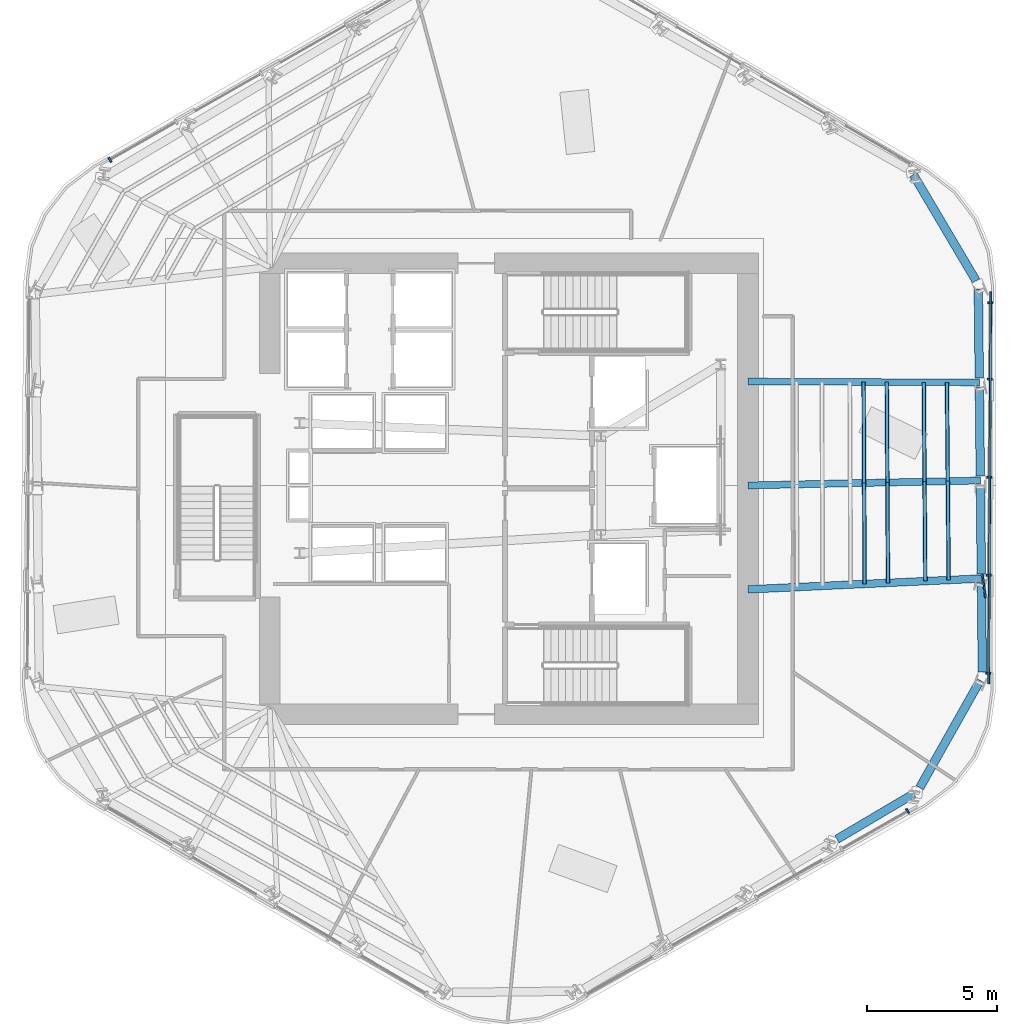
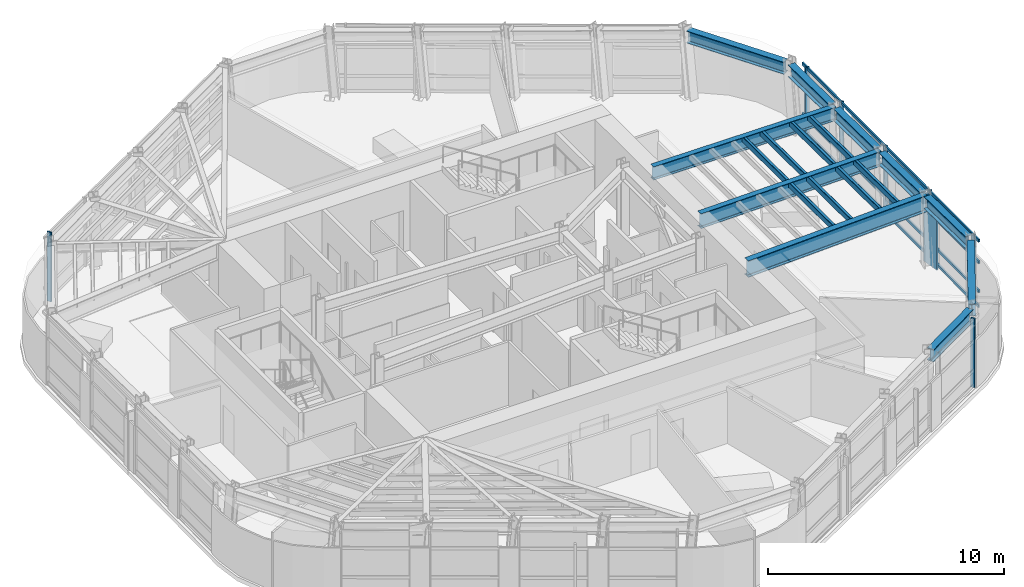
# One storey, part 5 of 16: 20 members, 10 beams, 3 elements without a shape of their own.
"""IFC4 building model written with IfcOpenShell, lengths in metres."""

from ifc_helpers import new_model, si_unit, direction, frame, origin, origin_2d, place, context, subcontext, project, spatial, rectangle, hollow_rectangle, i_section, extrude, material, layer, layer_set, material_profile, profile_set, type_object, element, aggregate, save


model = new_model("IFC4")

# Units and contexts
model_context = context("Model", 3, precision=1e-05, world=origin(), true_north=direction((0.0, 1.0)))
body_context = subcontext(model_context, "Body", "Model", "MODEL_VIEW")
ifc_project = project(units=[si_unit("LENGTHUNIT", "METRE"), si_unit("AREAUNIT", "SQUARE_METRE"), si_unit("VOLUMEUNIT", "CUBIC_METRE"), si_unit("PLANEANGLEUNIT", "RADIAN"), si_unit("MASSUNIT", "GRAM", prefix="KILO")], contexts=[model_context])

# Site, building, storey
site_placement = place(None, origin())
site = spatial("IfcSite", under=ifc_project, at=site_placement, CompositionType="ELEMENT")
building_placement = place(site_placement, origin())
building = spatial("IfcBuilding", under=site, at=building_placement, Name="Valkerne Bourse Tower", CompositionType="ELEMENT")
storey_placement = place(building_placement, frame((0.0, 0.0, 151.39990234375)))
storey = spatial("IfcBuildingStorey", under=building, at=storey_placement, Name="L38", CompositionType="ELEMENT", Elevation=151.39990234375)

# Beams
ifc_material_1 = material(Name="Steel ASTM A992", Category="steel")
ifc_material_profile_1 = material_profile(ifc_material_1, i_section(OverallWidth=0.32763671875, OverallDepth=0.62744140625, WebThickness=0.0166015625, FlangeThickness=0.027587890625, FilletRadius=0.020263671875, at=origin_2d()), Name="W24X146")
ifc_profile_set_1 = profile_set([ifc_material_profile_1], Name="Steel ASTM A992")
beam_type_1 = type_object("IfcBeamType", Name="BM-W24X146", PredefinedType="SPANDREL", material=ifc_profile_set_1)
beam_1_placement = place(storey_placement, frame((59.427734375, 13.389404296875, 3.266357421875), z_axis=(0.860746574239, 0.509033726718, 0.0), x_axis=(-0.509033726718, 0.860746574239, 0.0)))
element("IfcBeam", 1, at=beam_1_placement, inside=storey, type_object=beam_type_1, Name="L38 Hexagonal Spandrel Ring Beam 23", PredefinedType="SPANDREL", context=body_context, shape_type="SweptSolid", body=[
    extrude(i_section(OverallWidth=0.32763671875, OverallDepth=0.62744140625, WebThickness=0.0166015625, FlangeThickness=0.027587890625, FilletRadius=0.020263671875, at=origin_2d()), origin(), (0.0, 0.0, 1.0), 3.43115234375),
])
beam_2_placement = place(storey_placement, frame((62.61083984375, 15.37060546875, 3.266357421875), z_axis=(0.490899349002, 0.871216292977, 0.0), x_axis=(-0.871216292977, 0.490899349002, 0.0)))
element("IfcBeam", 2, at=beam_2_placement, inside=storey, type_object=beam_type_1, Name="L38 Hexagonal Spandrel Ring Beam 24", PredefinedType="SPANDREL", context=body_context, shape_type="SweptSolid", body=[
    extrude(i_section(OverallWidth=0.32763671875, OverallDepth=0.62744140625, WebThickness=0.0166015625, FlangeThickness=0.027587890625, FilletRadius=0.020263671875, at=origin_2d()), origin(), (0.0, 0.0, 1.0), 4.739990234375),
])
for number, where, z_axis, x_axis, name in (
    (3, (65.019287109375, 19.818359375, 3.266357421875), (-0.010459827673, 0.999945294506, 0.0), (-0.999945294506, -0.010459827673, 0.0), "L38 Hexagonal Spandrel Ring Beam 25"),
    (4, (64.97998046875, 23.589111328125, 3.266357421875), (-0.010459827673, 0.999945294506, 0.0), (-0.999945294506, -0.010459827673, 0.0), "L38 Hexagonal Spandrel Ring Beam 26"),
):
    element("IfcBeam", number, at=place(storey_placement, frame(where, z_axis=z_axis, x_axis=x_axis)), inside=storey, type_object=beam_type_1, Name=name, PredefinedType="SPANDREL", context=body_context, shape_type="SweptSolid", body=[
        extrude(i_section(OverallWidth=0.32763671875, OverallDepth=0.62744140625, WebThickness=0.0166015625, FlangeThickness=0.027587890625, FilletRadius=0.020263671875, at=origin_2d()), origin(), (0.0, 0.0, 1.0), 3.43115234375),
    ])
for number, where, z_axis, x_axis, name in (
    (5, (64.9404296875, 27.360107421875, 3.266357421875), (-0.010460571958, 0.99994528672, 0.0), (-0.99994528672, -0.010460571958, 0.0), "L38 Hexagonal Spandrel Ring Beam 27"),
    (6, (64.90087890625, 31.130859375, 3.266357421875), (-0.010460571958, 0.99994528672, 0.0), (-0.99994528672, -0.010460571958, 0.0), "L38 Hexagonal Spandrel Ring Beam 28"),
):
    element("IfcBeam", number, at=place(storey_placement, frame(where, z_axis=z_axis, x_axis=x_axis)), inside=storey, type_object=beam_type_1, Name=name, PredefinedType="SPANDREL", context=body_context, shape_type="SweptSolid", body=[
        extrude(i_section(OverallWidth=0.32763671875, OverallDepth=0.62744140625, WebThickness=0.0166015625, FlangeThickness=0.027587890625, FilletRadius=0.020263671875, at=origin_2d()), origin(), (0.0, 0.0, 1.0), 3.430908203125),
    ])
beam_3_placement = place(storey_placement, frame((64.77685546875, 34.8779296875, 3.266357421875), z_axis=(-0.509062431109, 0.860729598209, 0.0), x_axis=(-0.860729598209, -0.509062431109, 0.0)))
element("IfcBeam", 7, at=beam_3_placement, inside=storey, type_object=beam_type_1, Name="L38 Hexagonal Spandrel Ring Beam 29", PredefinedType="SPANDREL", context=body_context, shape_type="SweptSolid", body=[
    extrude(i_section(OverallWidth=0.32763671875, OverallDepth=0.62744140625, WebThickness=0.0166015625, FlangeThickness=0.027587890625, FilletRadius=0.020263671875, at=origin_2d()), origin(), (0.0, 0.0, 1.0), 4.740234375),
])
ifc_material_profile_2 = material_profile(ifc_material_1, i_section(OverallWidth=0.255859375, OverallDepth=0.693359375, WebThickness=0.014404296875, FlangeThickness=0.023681640625, FilletRadius=0.02294921875, at=origin_2d()), Name="W27X114")
ifc_profile_set_2 = profile_set([ifc_material_profile_2], Name="Steel ASTM A992")
beam_type_2 = type_object("IfcBeamType", Name="BM-W27X114", PredefinedType="BEAM", material=ifc_profile_set_2)
beam_4_placement = place(storey_placement, frame((64.902587890625, 30.960693359375, 3.2333984375), z_axis=(-0.999990253179, 0.004415149616, 0.0), x_axis=(-0.004415149616, -0.999990253179, 0.0)))
element("IfcBeam", 8, at=beam_4_placement, inside=storey, type_object=beam_type_2, Name="L38 Radial Composite Floor Beam 28", PredefinedType="BEAM", context=body_context, shape_type="SweptSolid", body=[
    extrude(i_section(OverallWidth=0.255859375, OverallDepth=0.693359375, WebThickness=0.014404296875, FlangeThickness=0.023681640625, FilletRadius=0.02294921875, at=origin_2d()), origin(), (0.0, 0.0, 1.0), 8.902587890625),
])
ifc_material_profile_3 = material_profile(ifc_material_1, i_section(OverallWidth=0.26806640625, OverallDepth=0.76953125, WebThickness=0.015625, FlangeThickness=0.025390625, FilletRadius=0.025390625, at=origin_2d()), Name="W30X132")
ifc_profile_set_3 = profile_set([ifc_material_profile_3], Name="Steel ASTM A992")
beam_type_3 = type_object("IfcBeamType", Name="BM-W30X132", PredefinedType="BEAM", material=ifc_profile_set_3)
beam_5_placement = place(storey_placement, frame((64.942138671875, 27.18994140625, 3.1953125), z_axis=(-0.999774482852, -0.021236370646, 0.0), x_axis=(0.021236370646, -0.999774482852, 0.0)))
element("IfcBeam", 9, at=beam_5_placement, inside=storey, type_object=beam_type_3, Name="L38 Radial Composite Floor Beam 27", PredefinedType="BEAM", context=body_context, shape_type="SweptSolid", body=[
    extrude(i_section(OverallWidth=0.26806640625, OverallDepth=0.76953125, WebThickness=0.015625, FlangeThickness=0.025390625, FilletRadius=0.025390625, at=origin_2d()), origin(), (0.0, 0.0, 1.0), 8.944091796875),
])
ifc_material_profile_4 = material_profile(ifc_material_1, i_section(OverallWidth=0.2919921875, OverallDepth=0.8583984375, WebThickness=0.01708984375, FlangeThickness=0.031005859375, FilletRadius=0.025390625, at=origin_2d()), Name="W33X169")
ifc_profile_set_4 = profile_set([ifc_material_profile_4], Name="Steel ASTM A992")
beam_type_4 = type_object("IfcBeamType", Name="BM-W33X169", PredefinedType="BEAM", material=ifc_profile_set_4)
beam_6_placement = place(storey_placement, frame((64.981689453125, 23.419189453125, 3.15087890625), z_axis=(-0.998912658811, -0.046620811525, 0.0), x_axis=(0.046620811525, -0.998912658811, 0.0)))
element("IfcBeam", 10, at=beam_6_placement, inside=storey, type_object=beam_type_4, Name="L38 Radial Composite Floor Beam 26", PredefinedType="BEAM", context=body_context, shape_type="SweptSolid", body=[
    extrude(i_section(OverallWidth=0.2919921875, OverallDepth=0.8583984375, WebThickness=0.01708984375, FlangeThickness=0.031005859375, FilletRadius=0.025390625, at=origin_2d()), origin(), (0.0, 0.0, 1.0), 8.991455078125),
])

# Curtain wall, member
ifc_material_2 = material(Name="Aluminium AA 6063-T6", Category="aluminium")
ifc_layer = layer(ifc_material_2, 0.235107421875)
ifc_layer_set = layer_set([ifc_layer], Name="Aluminium AA 6063-T6")
curtain_wall_type = type_object("IfcCurtainWallType", Name="CW-03", PredefinedType="NOTDEFINED", material=ifc_layer_set)
curtain_wall_1_placement = place(storey_placement, origin())
curtain_wall_1 = element("IfcCurtainWall", 11, at=curtain_wall_1_placement, inside=storey, type_object=curtain_wall_type, Name="L38 Hexagonal Stick Curtain Wall Face 2", PredefinedType="NOTDEFINED")
ifc_material_profile_5 = material_profile(ifc_material_2, rectangle(XDim=0.074951171875, YDim=0.199951171875, at=origin_2d()), Name="CWM-75X200")
ifc_profile_set_5 = profile_set([ifc_material_profile_5], Name="Aluminium AA 6063-T6")
member_type_1 = type_object("IfcMemberType", Name="CW-MUL-220X75", PredefinedType="MULLION", material=ifc_profile_set_5)
member_1_placement = place(storey_placement, frame((31.4560546875, 39.5263671875, 0.0), z_axis=(0.0, 0.0, 1.0), x_axis=(-0.868628005446, -0.4954648203, 0.0)))
member_1 = element("IfcMember", 12, at=member_1_placement, type_object=member_type_1, Name="CW-L38-F2 Jamb Mullion 03B", PredefinedType="MULLION", context=body_context, shape_type="SweptSolid", body=[
    extrude(rectangle(XDim=0.074951171875, YDim=0.199951171875, at=origin_2d()), origin(), (0.0, 0.0, 1.0), 3.580078125),
])
aggregate(curtain_wall_1, [member_1])

curtain_wall_2_placement = place(storey_placement, origin())
curtain_wall_2 = element("IfcCurtainWall", 13, at=curtain_wall_2_placement, inside=storey, type_object=curtain_wall_type, Name="L38 Hexagonal Stick Curtain Wall Face 5", PredefinedType="NOTDEFINED")
member_2_placement = place(storey_placement, frame((62.14404296875, 14.4736328125, 0.0), z_axis=(0.0, 0.0, 1.0), x_axis=(0.868628005446, 0.4954648203, 0.0)))
member_2 = element("IfcMember", 14, at=member_2_placement, type_object=member_type_1, Name="CW-L38-F5 Jamb Mullion 03B", PredefinedType="MULLION", context=body_context, shape_type="SweptSolid", body=[
    extrude(rectangle(XDim=0.074951171875, YDim=0.199951171875, at=origin_2d()), origin(), (0.0, 0.0, 1.0), 3.580078125),
])
aggregate(curtain_wall_2, [member_2])

# Curtain wall, members
curtain_wall_3_placement = place(storey_placement, origin())
curtain_wall_3 = element("IfcCurtainWall", 15, at=curtain_wall_3_placement, inside=storey, type_object=curtain_wall_type, Name="L38 Hexagonal Stick Curtain Wall Face 6", PredefinedType="NOTDEFINED")
member_3_placement = place(storey_placement, frame((65.24560546875, 19.78125, 0.0), z_axis=(0.0, 0.0, 1.0), x_axis=(0.005224007215, 0.999986354781, 0.0)))
member_3 = element("IfcMember", 16, at=member_3_placement, type_object=member_type_1, Name="CW-L38-F6 Jamb Mullion 00A", PredefinedType="MULLION", context=body_context, shape_type="SweptSolid", body=[
    extrude(rectangle(XDim=0.074951171875, YDim=0.199951171875, at=origin_2d()), origin(), (0.0, 0.0, 1.0), 3.580078125),
])
member_4_placement = place(storey_placement, frame((65.265380859375, 23.55224609375, 0.0), z_axis=(0.0, 0.0, 1.0), x_axis=(0.005250663525, 0.999986215171, 0.0)))
member_4 = element("IfcMember", 17, at=member_4_placement, type_object=member_type_1, Name="CW-L38-F6 Jamb Mullion 01A", PredefinedType="MULLION", context=body_context, shape_type="SweptSolid", body=[
    extrude(rectangle(XDim=0.074951171875, YDim=0.199951171875, at=origin_2d()), origin(), (0.0, 0.0, 1.0), 3.580078125),
])
member_5_placement = place(storey_placement, frame((65.28515625, 27.3232421875, 0.0), z_axis=(0.0, 0.0, 1.0), x_axis=(0.005224007215, 0.999986354781, 0.0)))
member_5 = element("IfcMember", 18, at=member_5_placement, type_object=member_type_1, Name="CW-L38-F6 Jamb Mullion 02A", PredefinedType="MULLION", context=body_context, shape_type="SweptSolid", body=[
    extrude(rectangle(XDim=0.074951171875, YDim=0.199951171875, at=origin_2d()), origin(), (0.0, 0.0, 1.0), 3.580078125),
])
member_6_placement = place(storey_placement, frame((65.304931640625, 31.09423828125, 0.0), z_axis=(0.0, 0.0, 1.0), x_axis=(0.005250663525, 0.999986215171, 0.0)))
member_6 = element("IfcMember", 19, at=member_6_placement, type_object=member_type_1, Name="CW-L38-F6 Jamb Mullion 03A", PredefinedType="MULLION", context=body_context, shape_type="SweptSolid", body=[
    extrude(rectangle(XDim=0.074951171875, YDim=0.199951171875, at=origin_2d()), origin(), (0.0, 0.0, 1.0), 3.580078125),
])
member_7_placement = place(storey_placement, frame((65.3203125, 34.025146484375, 0.0), z_axis=(0.0, 0.0, 1.0), x_axis=(0.005250663525, 0.999986215171, 0.0)))
member_7 = element("IfcMember", 20, at=member_7_placement, type_object=member_type_1, Name="CW-L38-F6 Jamb Mullion 03B", PredefinedType="MULLION", context=body_context, shape_type="SweptSolid", body=[
    extrude(rectangle(XDim=0.074951171875, YDim=0.199951171875, at=origin_2d()), origin(), (0.0, 0.0, 1.0), 3.580078125),
])
ifc_material_profile_6 = material_profile(ifc_material_2, rectangle(XDim=0.074951171875, YDim=0.14990234375, at=origin_2d()), Name="CWT-75X150")
ifc_profile_set_6 = profile_set([ifc_material_profile_6], Name="Aluminium AA 6063-T6")
member_type_2 = type_object("IfcMemberType", Name="CW-TRN-180X65", PredefinedType="USERDEFINED", material=ifc_profile_set_6)
member_8_placement = place(storey_placement, frame((65.263427734375, 19.361083984375, 0.1201171875), z_axis=(0.005244004031, 0.999986250116, 0.0), x_axis=(-0.999986250116, 0.005244004031, 0.0)))
member_8 = element("IfcMember", 21, at=member_8_placement, type_object=member_type_2, Name="CW-L38-F6 Continuous Face Transom 1", ObjectType="TRANSOM", PredefinedType="USERDEFINED", context=body_context, shape_type="SweptSolid", body=[
    extrude(rectangle(XDim=0.074951171875, YDim=0.14990234375, at=origin_2d()), origin(), (0.0, 0.0, 1.0), 15.084228515625),
])
member_9_placement = place(storey_placement, frame((65.263427734375, 19.361083984375, 0.900146484375), z_axis=(0.005244004031, 0.999986250116, 0.0), x_axis=(-0.999986250116, 0.005244004031, 0.0)))
member_9 = element("IfcMember", 22, at=member_9_placement, type_object=member_type_2, Name="CW-L38-F6 Continuous Face Transom 2", ObjectType="TRANSOM", PredefinedType="USERDEFINED", context=body_context, shape_type="SweptSolid", body=[
    extrude(rectangle(XDim=0.074951171875, YDim=0.14990234375, at=origin_2d()), origin(), (0.0, 0.0, 1.0), 15.084228515625),
])
member_10_placement = place(storey_placement, frame((65.263427734375, 19.361083984375, 2.400146484375), z_axis=(0.005244004031, 0.999986250116, 0.0), x_axis=(-0.999986250116, 0.005244004031, 0.0)))
member_10 = element("IfcMember", 23, at=member_10_placement, type_object=member_type_2, Name="CW-L38-F6 Continuous Face Transom 3", ObjectType="TRANSOM", PredefinedType="USERDEFINED", context=body_context, shape_type="SweptSolid", body=[
    extrude(rectangle(XDim=0.074951171875, YDim=0.14990234375, at=origin_2d()), origin(), (0.0, 0.0, 1.0), 15.084228515625),
])
member_11_placement = place(storey_placement, frame((65.263427734375, 19.361083984375, 3.5), z_axis=(0.005244004031, 0.999986250116, 0.0), x_axis=(-0.999986250116, 0.005244004031, 0.0)))
member_11 = element("IfcMember", 24, at=member_11_placement, type_object=member_type_2, Name="CW-L38-F6 Continuous Face Transom 4", ObjectType="TRANSOM", PredefinedType="USERDEFINED", context=body_context, shape_type="SweptSolid", body=[
    extrude(rectangle(XDim=0.074951171875, YDim=0.14990234375, at=origin_2d()), origin(), (0.0, 0.0, 1.0), 15.084228515625),
])
aggregate(curtain_wall_3, [member_8, member_9, member_10, member_11, member_3, member_4, member_5, member_6, member_7])

# Members
ifc_material_3 = material(Name="Bronze Anodised Aluminium AA 6063-T6", Category="aluminium")
ifc_material_profile_7 = material_profile(ifc_material_3, rectangle(XDim=0.070068359375, YDim=0.89990234375, at=origin_2d()), Name="FIN-70X900")
ifc_profile_set_7 = profile_set([ifc_material_profile_7], Name="Bronze Anodised Aluminium AA 6063-T6")
member_type_3 = type_object("IfcMemberType", Name="FIN-SOLAR-900", PredefinedType="USERDEFINED", material=ifc_profile_set_7)
member_12_placement = place(storey_placement, frame((65.083251953125, 23.13330078125, 0.004150390625), z_axis=(0.0, 0.0, 1.0), x_axis=(0.991703390506, 0.128547210237, 0.0)))
element("IfcMember", 25, at=member_12_placement, inside=storey, type_object=member_type_3, Name="L38 Bronze Anodised Solar Fin F6-01", ObjectType="SOLAR_FIN", PredefinedType="USERDEFINED", context=body_context, shape_type="SweptSolid", body=[
    extrude(rectangle(XDim=0.070068359375, YDim=0.89990234375, at=origin_2d()), origin(), (0.0, 0.0, 1.0), 3.572021484375),
])
ifc_material_4 = material(Name="Steel ASTM A500 Grade C", Category="steel")
ifc_material_profile_8 = material_profile(ifc_material_4, hollow_rectangle(XDim=0.14990234375, YDim=0.300048828125, WallThickness=0.012451171875, OuterFilletRadius=0.02490234375, at=origin_2d()), Name="HSS300X150X12.5")
ifc_profile_set_8 = profile_set([ifc_material_profile_8], Name="Steel ASTM A500 Grade C")
member_type_4 = type_object("IfcMemberType", Name="MBR-HSS300X150X12.5", PredefinedType="PURLIN", material=ifc_profile_set_8)
member_13_placement = place(storey_placement, frame((60.490966796875, 23.209716796875, 3.420166015625), z_axis=(-0.005089792057, 0.999987046925, 0.0), x_axis=(-0.999987046925, -0.005089792057, 0.0)))
element("IfcMember", 26, at=member_13_placement, inside=storey, type_object=member_type_4, Name="L38 Secondary Composite Floor Purlin M-26", PredefinedType="PURLIN", context=body_context, shape_type="SweptSolid", body=[
    extrude(hollow_rectangle(XDim=0.14990234375, YDim=0.300048828125, WallThickness=0.012451171875, OuterFilletRadius=0.02490234375, at=origin_2d()), origin(), (0.0, 0.0, 1.0), 3.88525390625),
])
member_14_placement = place(storey_placement, frame((60.47119140625, 27.094970703125, 3.420166015625), z_axis=(-0.005089472255, 0.999987048552, 0.0), x_axis=(-0.999987048552, -0.005089472255, 0.0)))
element("IfcMember", 27, at=member_14_placement, inside=storey, type_object=member_type_4, Name="L38 Secondary Composite Floor Purlin M-27", PredefinedType="PURLIN", context=body_context, shape_type="SweptSolid", body=[
    extrude(hollow_rectangle(XDim=0.14990234375, YDim=0.300048828125, WallThickness=0.012451171875, OuterFilletRadius=0.02490234375, at=origin_2d()), origin(), (0.0, 0.0, 1.0), 3.885498046875),
])
member_15_placement = place(storey_placement, frame((62.826171875, 23.318603515625, 3.420166015625), z_axis=(-0.007849151945, 0.999969194932, 0.0), x_axis=(-0.999969194932, -0.007849151945, 0.0)))
element("IfcMember", 28, at=member_15_placement, inside=storey, type_object=member_type_4, Name="L38 Secondary Composite Floor Purlin O-26", PredefinedType="PURLIN", context=body_context, shape_type="SweptSolid", body=[
    extrude(hollow_rectangle(XDim=0.14990234375, YDim=0.300048828125, WallThickness=0.012451171875, OuterFilletRadius=0.02490234375, at=origin_2d()), origin(), (0.0, 0.0, 1.0), 3.82568359375),
])
member_16_placement = place(storey_placement, frame((62.796142578125, 27.144287109375, 3.420166015625), z_axis=(-0.007848651105, 0.999969198864, 0.0), x_axis=(-0.999969198864, -0.007848651105, 0.0)))
element("IfcMember", 29, at=member_16_placement, inside=storey, type_object=member_type_4, Name="L38 Secondary Composite Floor Purlin O-27", PredefinedType="PURLIN", context=body_context, shape_type="SweptSolid", body=[
    extrude(hollow_rectangle(XDim=0.14990234375, YDim=0.300048828125, WallThickness=0.012451171875, OuterFilletRadius=0.02490234375, at=origin_2d()), origin(), (0.0, 0.0, 1.0), 3.825927734375),
])
for number, where, z_axis, x_axis, name in (
    (30, (61.388916015625, 23.25146484375, 3.420166015625), (-0.006130976356, 0.999981205388, 0.0), (-0.999981205388, -0.006130976356, 0.0), "L38 Secondary Composite Floor Purlin Z-26"),
    (31, (61.365234375, 27.114013671875, 3.420166015625), (-0.006130976356, 0.999981205388, 0.0), (-0.999981205388, -0.006130976356, 0.0), "L38 Secondary Composite Floor Purlin Z-27"),
):
    element("IfcMember", number, at=place(storey_placement, frame(where, z_axis=z_axis, x_axis=x_axis)), inside=storey, type_object=member_type_4, Name=name, PredefinedType="PURLIN", context=body_context, shape_type="SweptSolid", body=[
        extrude(hollow_rectangle(XDim=0.14990234375, YDim=0.300048828125, WallThickness=0.012451171875, OuterFilletRadius=0.02490234375, at=origin_2d()), origin(), (0.0, 0.0, 1.0), 3.862548828125),
    ])
member_17_placement = place(storey_placement, frame((63.724365234375, 23.360595703125, 3.420166015625), z_axis=(-0.00898782391, 0.999959608695, 0.0), x_axis=(-0.999959608695, -0.00898782391, 0.0)))
element("IfcMember", 32, at=member_17_placement, inside=storey, type_object=member_type_4, Name="L38 Secondary Composite Floor Purlin T-26", PredefinedType="PURLIN", context=body_context, shape_type="SweptSolid", body=[
    extrude(hollow_rectangle(XDim=0.14990234375, YDim=0.300048828125, WallThickness=0.012451171875, OuterFilletRadius=0.02490234375, at=origin_2d()), origin(), (0.0, 0.0, 1.0), 3.802978515625),
])
member_18_placement = place(storey_placement, frame((63.690185546875, 27.163330078125, 3.420166015625), z_axis=(-0.008923057471, 0.99996018873, 0.0), x_axis=(-0.99996018873, -0.008923057471, 0.0)))
element("IfcMember", 33, at=member_18_placement, inside=storey, type_object=member_type_4, Name="L38 Secondary Composite Floor Purlin T-27", PredefinedType="PURLIN", context=body_context, shape_type="SweptSolid", body=[
    extrude(hollow_rectangle(XDim=0.14990234375, YDim=0.300048828125, WallThickness=0.012451171875, OuterFilletRadius=0.02490234375, at=origin_2d()), origin(), (0.0, 0.0, 1.0), 3.80322265625),
])

save(model, "model.ifc")
